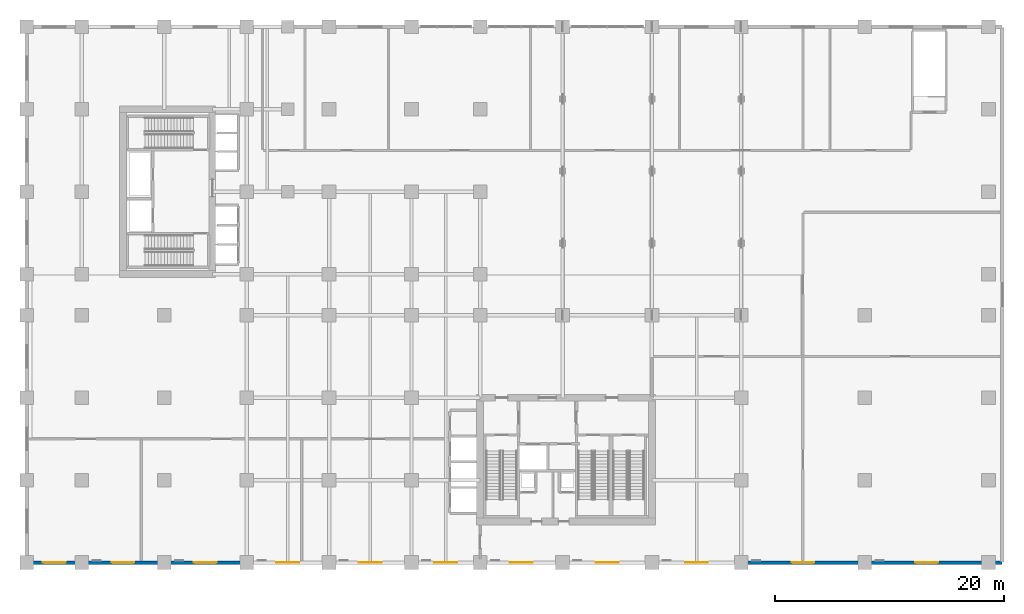
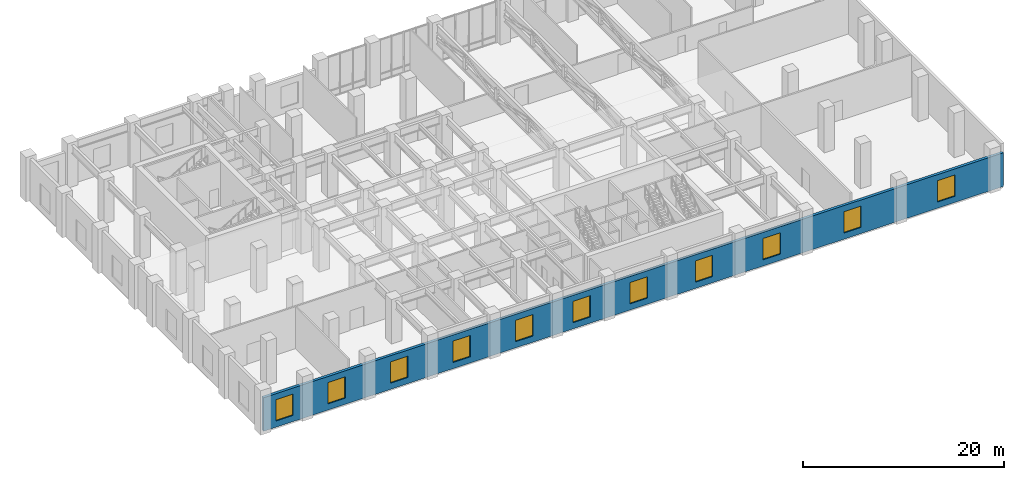
# One storey, part 10 of 19: 11 windows, 1 wall, 11 openings.
"""IFC4 building model written with IfcOpenShell, lengths in metres."""

from ifc_helpers import new_model, si_unit, derived_unit, direction, frame, frame_2d, origin, place, context, subcontext, project, spatial, rectangle, extrude, source, transform, mapped, material, layer, layer_set, type_object, type_shapes, element, fill, save


model = new_model("IFC4")

# Units and contexts
model_context = context("Model", 3, precision=1e-05, world=origin(), true_north=direction((0.0, 1.0)))
body_context = subcontext(model_context, "Body", "Model", "MODEL_VIEW")
ifc_project = project(units=[si_unit("LENGTHUNIT", "METRE"), si_unit("AREAUNIT", "SQUARE_METRE"), si_unit("VOLUMEUNIT", "CUBIC_METRE"), si_unit("PLANEANGLEUNIT", "RADIAN"), si_unit("MASSUNIT", "GRAM", prefix="KILO"), si_unit("THERMODYNAMICTEMPERATUREUNIT", "KELVIN"), si_unit("POWERUNIT", "WATT"), derived_unit("THERMALTRANSMITTANCEUNIT", [(si_unit("POWERUNIT", "WATT"), 1), (si_unit("AREAUNIT", "SQUARE_METRE"), -1), (si_unit("THERMODYNAMICTEMPERATUREUNIT", "KELVIN"), -1)])], contexts=[model_context])

# Site, building, storey
site_placement = place(None, origin())
site = spatial("IfcSite", under=ifc_project, at=site_placement, CompositionType="ELEMENT")
building_placement = place(site_placement, origin())
building = spatial("IfcBuilding", under=site, at=building_placement, Name="Zahravan Archway Hotel and Residences", CompositionType="ELEMENT")
storey_placement = place(building_placement, frame((0.0, 0.0, 21.60009765625)))
storey = spatial("IfcBuildingStorey", under=building, at=storey_placement, Name="L04", CompositionType="ELEMENT", Elevation=21.60009765625)

# Wall, openings, windows
ifc_material_1 = material(Name="Agra Buff Sandstone & Insulated Backup", Category="masonry")
ifc_layer = layer(ifc_material_1, 0.320068359375, Name="Agra Buff Sandstone & Insulated Backup", Category="masonry")
ifc_layer_set = layer_set([ifc_layer], Name="Agra Buff Sandstone & Insulated Backup")
wall_type = type_object("IfcWallType", Name="EW-SAND-320", PredefinedType="SOLIDWALL", material=ifc_layer_set)
wall_placement = place(storey_placement, frame((-4.800048828125, 0.0, 0.0), z_axis=(0.0, 0.0, 1.0), x_axis=(1.0, 0.0, 0.0)))
wall = element("IfcWall", 1, at=wall_placement, inside=storey, type_object=wall_type, Name="L04 Podium Sandstone S Wall", PredefinedType="SOLIDWALL", context=body_context, shape_type="SweptSolid", body=[
    extrude(rectangle(XDim=85.199951171875, YDim=0.320068359375, at=frame_2d((42.60009765625, 0.0))), origin(), (0.0, 0.0, 1.0), 4.0849609375),
])
opening_1_placement = place(wall_placement, frame((1.39990234375, 0.0, 0.75)))
opening_1 = element("IfcOpeningElement", 2, at=opening_1_placement, cuts=wall, Name="Opening W-01", PredefinedType="OPENING", context=body_context, shape_type="SweptSolid", body=[
    extrude(rectangle(XDim=2.0, YDim=2.60009765625, at=frame_2d((1.0, 1.300048828125))), frame((0.0, 0.169921875, 0.0), z_axis=(0.0, -1.0, 0.0), x_axis=(1.0, 0.0, 0.0)), (0.0, 0.0, 1.0), 0.340087890625),
])
opening_2_placement = place(wall_placement, frame((7.39990234375, 0.0, 0.75)))
opening_2 = element("IfcOpeningElement", 3, at=opening_2_placement, cuts=wall, Name="Opening W-01", PredefinedType="OPENING", context=body_context, shape_type="SweptSolid", body=[
    extrude(rectangle(XDim=2.0, YDim=2.60009765625, at=frame_2d((1.0, 1.300048828125))), frame((0.0, 0.169921875, 0.0), z_axis=(0.0, -1.0, 0.0), x_axis=(1.0, 0.0, 0.0)), (0.0, 0.0, 1.0), 0.340087890625),
])
opening_3_placement = place(wall_placement, frame((14.60009765625, 0.0, 0.75)))
opening_3 = element("IfcOpeningElement", 4, at=opening_3_placement, cuts=wall, Name="Opening W-01", PredefinedType="OPENING", context=body_context, shape_type="SweptSolid", body=[
    extrude(rectangle(XDim=2.0, YDim=2.60009765625, at=frame_2d((1.0, 1.300048828125))), frame((0.0, 0.169921875, 0.0), z_axis=(0.0, -1.0, 0.0), x_axis=(1.0, 0.0, 0.0)), (0.0, 0.0, 1.0), 0.340087890625),
])
opening_4_placement = place(wall_placement, frame((21.800048828125, 0.0, 0.75)))
opening_4 = element("IfcOpeningElement", 5, at=opening_4_placement, cuts=wall, Name="Opening W-01", PredefinedType="OPENING", context=body_context, shape_type="SweptSolid", body=[
    extrude(rectangle(XDim=2.0, YDim=2.60009765625, at=frame_2d((1.0, 1.300048828125))), frame((0.0, 0.169921875, 0.0), z_axis=(0.0, -1.0, 0.0), x_axis=(1.0, 0.0, 0.0)), (0.0, 0.0, 1.0), 0.340087890625),
])
opening_5_placement = place(wall_placement, frame((29.0, 0.0, 0.75)))
opening_5 = element("IfcOpeningElement", 6, at=opening_5_placement, cuts=wall, Name="Opening W-01", PredefinedType="OPENING", context=body_context, shape_type="SweptSolid", body=[
    extrude(rectangle(XDim=2.0, YDim=2.60009765625, at=frame_2d((1.0, 1.300048828125))), frame((0.0, 0.169921875, 0.0), z_axis=(0.0, -1.0, 0.0), x_axis=(1.0, 0.0, 0.0)), (0.0, 0.0, 1.0), 0.340087890625),
])
opening_6_placement = place(wall_placement, frame((35.60009765625, 0.0, 0.75)))
opening_6 = element("IfcOpeningElement", 7, at=opening_6_placement, cuts=wall, Name="Opening W-01", PredefinedType="OPENING", context=body_context, shape_type="SweptSolid", body=[
    extrude(rectangle(XDim=2.0, YDim=2.60009765625, at=frame_2d((1.0, 1.300048828125))), frame((0.0, 0.169921875, 0.0), z_axis=(0.0, -1.0, 0.0), x_axis=(1.0, 0.0, 0.0)), (0.0, 0.0, 1.0), 0.340087890625),
])
opening_7_placement = place(wall_placement, frame((42.199951171875, 0.0, 0.75)))
opening_7 = element("IfcOpeningElement", 8, at=opening_7_placement, cuts=wall, Name="Opening W-01", PredefinedType="OPENING", context=body_context, shape_type="SweptSolid", body=[
    extrude(rectangle(XDim=2.0, YDim=2.60009765625, at=frame_2d((1.0, 1.300048828125))), frame((0.0, 0.169921875, 0.0), z_axis=(0.0, -1.0, 0.0), x_axis=(1.0, 0.0, 0.0)), (0.0, 0.0, 1.0), 0.340087890625),
])
opening_8_placement = place(wall_placement, frame((49.699951171875, 0.0, 0.75)))
opening_8 = element("IfcOpeningElement", 9, at=opening_8_placement, cuts=wall, Name="Opening W-01", PredefinedType="OPENING", context=body_context, shape_type="SweptSolid", body=[
    extrude(rectangle(XDim=2.0, YDim=2.60009765625, at=frame_2d((1.0, 1.300048828125))), frame((0.0, 0.169921875, 0.0), z_axis=(0.0, -1.0, 0.0), x_axis=(1.0, 0.0, 0.0)), (0.0, 0.0, 1.0), 0.340087890625),
])
opening_9_placement = place(wall_placement, frame((57.5, 0.0, 0.75)))
opening_9 = element("IfcOpeningElement", 10, at=opening_9_placement, cuts=wall, Name="Opening W-01", PredefinedType="OPENING", context=body_context, shape_type="SweptSolid", body=[
    extrude(rectangle(XDim=2.0, YDim=2.60009765625, at=frame_2d((1.0, 1.300048828125))), frame((0.0, 0.169921875, 0.0), z_axis=(0.0, -1.0, 0.0), x_axis=(1.0, 0.0, 0.0)), (0.0, 0.0, 1.0), 0.340087890625),
])
opening_10_placement = place(wall_placement, frame((66.800048828125, 0.0, 0.75)))
opening_10 = element("IfcOpeningElement", 11, at=opening_10_placement, cuts=wall, Name="Opening W-01", PredefinedType="OPENING", context=body_context, shape_type="SweptSolid", body=[
    extrude(rectangle(XDim=2.0, YDim=2.60009765625, at=frame_2d((1.0, 1.300048828125))), frame((0.0, 0.169921875, 0.0), z_axis=(0.0, -1.0, 0.0), x_axis=(1.0, 0.0, 0.0)), (0.0, 0.0, 1.0), 0.340087890625),
])
opening_11_placement = place(wall_placement, frame((77.60009765625, 0.0, 0.75)))
opening_11 = element("IfcOpeningElement", 12, at=opening_11_placement, cuts=wall, Name="Opening W-01", PredefinedType="OPENING", context=body_context, shape_type="SweptSolid", body=[
    extrude(rectangle(XDim=2.0, YDim=2.60009765625, at=frame_2d((1.0, 1.300048828125))), frame((0.0, 0.169921875, 0.0), z_axis=(0.0, -1.0, 0.0), x_axis=(1.0, 0.0, 0.0)), (0.0, 0.0, 1.0), 0.340087890625),
])
ifc_material_2 = material(Name="Bronze-Anodized Thermal-Break Aluminium & Low-E Glass", Category="aluminium")
window_type = type_object("IfcWindowType", Name="WIN-ARC-2000", PartitioningType="DOUBLE_PANEL_VERTICAL", PredefinedType="WINDOW", material=ifc_material_2)
shared_shape = source(origin(), body_context, "Body", "SweptSolid", [
    extrude(rectangle(XDim=2.0, YDim=2.60009765625, at=frame_2d((1.0, 1.300048828125))), frame((0.0, 0.030029296875, 0.0), z_axis=(0.0, -1.0, 0.0), x_axis=(1.0, 0.0, 0.0)), (0.0, 0.0, 1.0), 0.06005859375),
])
type_shapes(window_type, [shared_shape])
window_1_placement = place(opening_1_placement, origin())
window_1 = element("IfcWindow", 13, at=window_1_placement, inside=storey, type_object=window_type, Name="L04 Podium Mughal Arch Window 01", OverallHeight=2.60009765625, OverallWidth=2.0, PartitioningType="DOUBLE_PANEL_VERTICAL", PredefinedType="WINDOW", context=body_context, shape_type="MappedRepresentation", body=[
    mapped(shared_shape, transform((0.0, 0.0, 0.0), scale=1.0)),
])
fill(opening_1, window_1)
window_2_placement = place(opening_2_placement, origin())
window_2 = element("IfcWindow", 14, at=window_2_placement, inside=storey, type_object=window_type, Name="L04 Podium Mughal Arch Window 02", OverallHeight=2.60009765625, OverallWidth=2.0, PartitioningType="DOUBLE_PANEL_VERTICAL", PredefinedType="WINDOW", context=body_context, shape_type="MappedRepresentation", body=[
    mapped(shared_shape, transform((0.0, 0.0, 0.0), scale=1.0)),
])
fill(opening_2, window_2)
window_3_placement = place(opening_3_placement, origin())
window_3 = element("IfcWindow", 15, at=window_3_placement, inside=storey, type_object=window_type, Name="L04 Podium Mughal Arch Window 03", OverallHeight=2.60009765625, OverallWidth=2.0, PartitioningType="DOUBLE_PANEL_VERTICAL", PredefinedType="WINDOW", context=body_context, shape_type="MappedRepresentation", body=[
    mapped(shared_shape, transform((0.0, 0.0, 0.0), scale=1.0)),
])
fill(opening_3, window_3)
window_4_placement = place(opening_4_placement, origin())
window_4 = element("IfcWindow", 16, at=window_4_placement, inside=storey, type_object=window_type, Name="L04 Podium Mughal Arch Window 04", OverallHeight=2.60009765625, OverallWidth=2.0, PartitioningType="DOUBLE_PANEL_VERTICAL", PredefinedType="WINDOW", context=body_context, shape_type="MappedRepresentation", body=[
    mapped(shared_shape, transform((0.0, 0.0, 0.0), scale=1.0)),
])
fill(opening_4, window_4)
window_5_placement = place(opening_5_placement, origin())
window_5 = element("IfcWindow", 17, at=window_5_placement, inside=storey, type_object=window_type, Name="L04 Podium Mughal Arch Window 05", OverallHeight=2.60009765625, OverallWidth=2.0, PartitioningType="DOUBLE_PANEL_VERTICAL", PredefinedType="WINDOW", context=body_context, shape_type="MappedRepresentation", body=[
    mapped(shared_shape, transform((0.0, 0.0, 0.0), scale=1.0)),
])
fill(opening_5, window_5)
window_6_placement = place(opening_6_placement, origin())
window_6 = element("IfcWindow", 18, at=window_6_placement, inside=storey, type_object=window_type, Name="L04 Podium Mughal Arch Window 06", OverallHeight=2.60009765625, OverallWidth=2.0, PartitioningType="DOUBLE_PANEL_VERTICAL", PredefinedType="WINDOW", context=body_context, shape_type="MappedRepresentation", body=[
    mapped(shared_shape, transform((0.0, 0.0, 0.0), scale=1.0)),
])
fill(opening_6, window_6)
window_7_placement = place(opening_7_placement, origin())
window_7 = element("IfcWindow", 19, at=window_7_placement, inside=storey, type_object=window_type, Name="L04 Podium Mughal Arch Window 07", OverallHeight=2.60009765625, OverallWidth=2.0, PartitioningType="DOUBLE_PANEL_VERTICAL", PredefinedType="WINDOW", context=body_context, shape_type="MappedRepresentation", body=[
    mapped(shared_shape, transform((0.0, 0.0, 0.0), scale=1.0)),
])
fill(opening_7, window_7)
window_8_placement = place(opening_8_placement, origin())
window_8 = element("IfcWindow", 20, at=window_8_placement, inside=storey, type_object=window_type, Name="L04 Podium Mughal Arch Window 08", OverallHeight=2.60009765625, OverallWidth=2.0, PartitioningType="DOUBLE_PANEL_VERTICAL", PredefinedType="WINDOW", context=body_context, shape_type="MappedRepresentation", body=[
    mapped(shared_shape, transform((0.0, 0.0, 0.0), scale=1.0)),
])
fill(opening_8, window_8)
window_9_placement = place(opening_9_placement, origin())
window_9 = element("IfcWindow", 21, at=window_9_placement, inside=storey, type_object=window_type, Name="L04 Podium Mughal Arch Window 09", OverallHeight=2.60009765625, OverallWidth=2.0, PartitioningType="DOUBLE_PANEL_VERTICAL", PredefinedType="WINDOW", context=body_context, shape_type="MappedRepresentation", body=[
    mapped(shared_shape, transform((0.0, 0.0, 0.0), scale=1.0)),
])
fill(opening_9, window_9)
window_10_placement = place(opening_10_placement, origin())
window_10 = element("IfcWindow", 22, at=window_10_placement, inside=storey, type_object=window_type, Name="L04 Podium Mughal Arch Window 10", OverallHeight=2.60009765625, OverallWidth=2.0, PartitioningType="DOUBLE_PANEL_VERTICAL", PredefinedType="WINDOW", context=body_context, shape_type="MappedRepresentation", body=[
    mapped(shared_shape, transform((0.0, 0.0, 0.0), scale=1.0)),
])
fill(opening_10, window_10)
window_11_placement = place(opening_11_placement, origin())
window_11 = element("IfcWindow", 23, at=window_11_placement, inside=storey, type_object=window_type, Name="L04 Podium Mughal Arch Window 11", OverallHeight=2.60009765625, OverallWidth=2.0, PartitioningType="DOUBLE_PANEL_VERTICAL", PredefinedType="WINDOW", context=body_context, shape_type="MappedRepresentation", body=[
    mapped(shared_shape, transform((0.0, 0.0, 0.0), scale=1.0)),
])
fill(opening_11, window_11)

save(model, "model.ifc")
